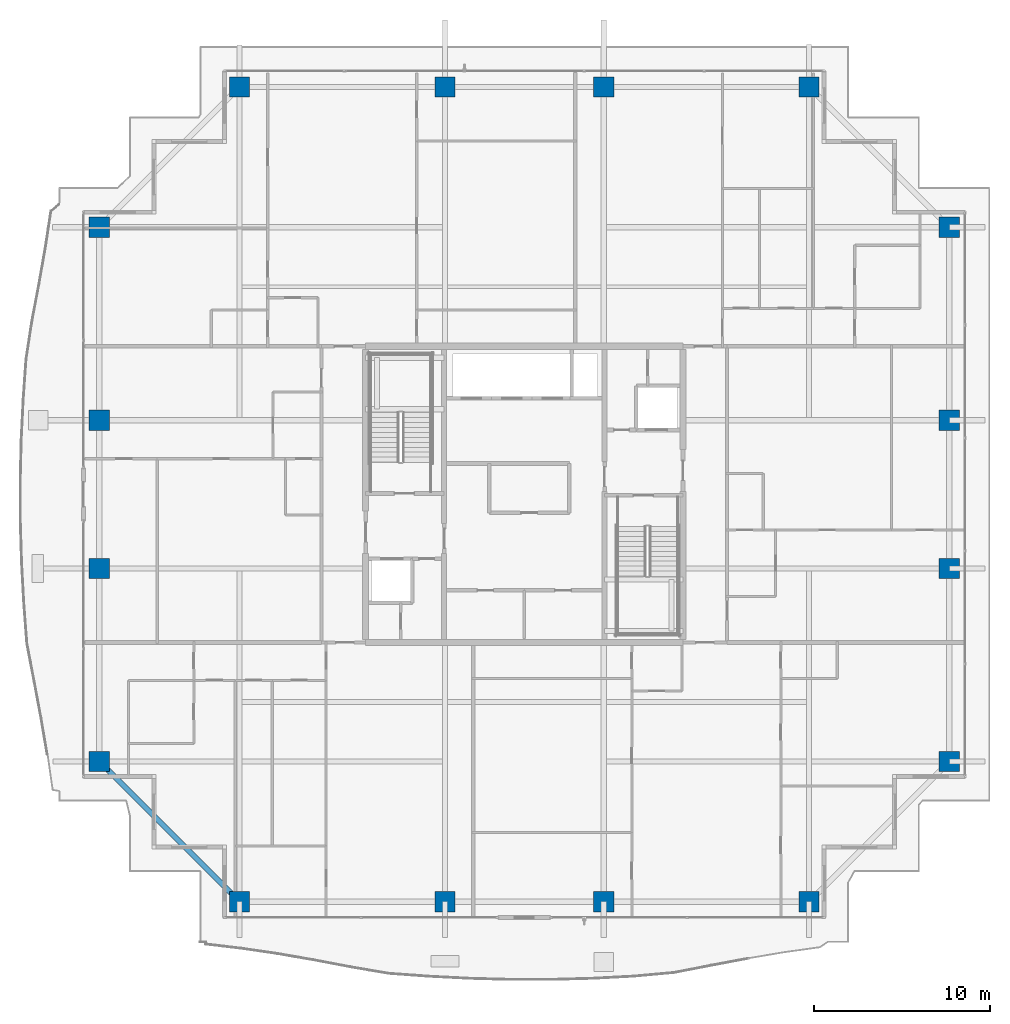
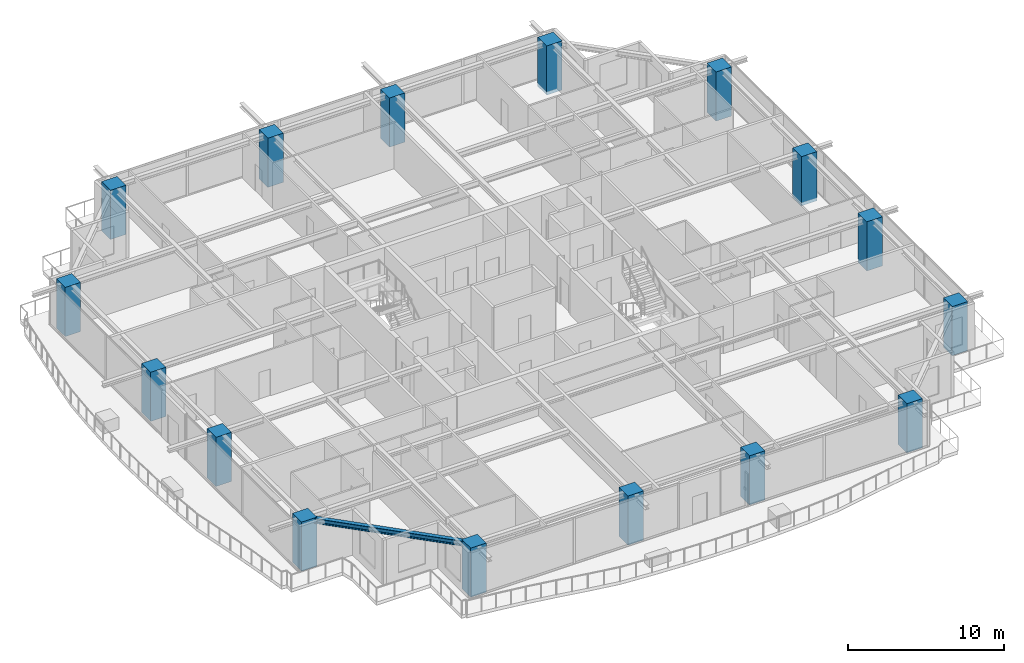
# One storey, part 1 of 37: 16 columns, 1 beam.
"""IFC4 building model written with IfcOpenShell, lengths in metres."""

from ifc_helpers import new_model, si_unit, direction, frame, origin, origin_2d, place, context, subcontext, project, spatial, rectangle, i_section, extrude, source, transform, mapped, material, material_profile, profile_set, type_object, element, save


model = new_model("IFC4")

# Units and contexts
model_context = context("Model", 3, precision=1e-05, world=origin(), true_north=direction((0.0, 1.0)))
body_context = subcontext(model_context, "Body", "Model", "MODEL_VIEW")
ifc_project = project(units=[si_unit("LENGTHUNIT", "METRE"), si_unit("AREAUNIT", "SQUARE_METRE"), si_unit("VOLUMEUNIT", "CUBIC_METRE"), si_unit("PLANEANGLEUNIT", "RADIAN"), si_unit("MASSUNIT", "GRAM", prefix="KILO")], contexts=[model_context])

# Site, building, storey
site_placement = place(None, origin())
site = spatial("IfcSite", under=ifc_project, at=site_placement, CompositionType="ELEMENT")
building_placement = place(site_placement, origin())
building = spatial("IfcBuilding", under=site, at=building_placement, Name="Serunith Strait Residences", CompositionType="ELEMENT")
storey_placement = place(building_placement, frame((0.0, 0.0, 218.14990234375)))
storey = spatial("IfcBuildingStorey", under=building, at=storey_placement, Name="L54", CompositionType="ELEMENT", Elevation=218.14990234375)

# Columns
ifc_material_1 = material(Name="Concrete C80/95", Category="concrete")
ifc_material_profile_1 = material_profile(ifc_material_1, rectangle(XDim=1.14990234375, YDim=1.14990234375, at=origin_2d()), Name="RC 1150x1150")
ifc_profile_set_1 = profile_set([ifc_material_profile_1], Name="Concrete C80/95")
column_type = type_object("IfcColumnType", Name="COL-RC-1150", PredefinedType="COLUMN", material=ifc_profile_set_1)
shared_shape_1 = source(origin(), body_context, "Body", "SweptSolid", [
    extrude(rectangle(XDim=1.14990234375, YDim=1.14990234375, at=origin_2d()), origin(), (0.0, 0.0, 1.0), 3.85009765625),
])
for number, where, z_axis, x_axis, name in (
    (1, (16.25, 2.10009765625, -0.260009765625), (0.0, 0.0, 1.0), (1.0, 0.0, 0.0), "L54 Tower Mega-Column TC-S1"),
    (2, (27.89990234375, 2.10009765625, -0.260009765625), (0.0, 0.0, 1.0), (1.0, 0.0, 0.0), "L54 Tower Mega-Column TC-S2"),
    (3, (36.89990234375, 2.10009765625, -0.260009765625), (0.0, 0.0, 1.0), (1.0, 0.0, 0.0), "L54 Tower Mega-Column TC-S3"),
    (4, (48.550048828125, 2.10009765625, -0.260009765625), (0.0, 0.0, 1.0), (1.0, 0.0, 0.0), "L54 Tower Mega-Column TC-S4"),
    (5, (16.25, 48.300048828125, -0.260009765625), (0.0, 0.0, 1.0), (1.0, 0.0, 0.0), "L54 Tower Mega-Column TC-N1"),
    (6, (27.89990234375, 48.300048828125, -0.260009765625), (0.0, 0.0, 1.0), (1.0, 0.0, 0.0), "L54 Tower Mega-Column TC-N2"),
    (7, (36.89990234375, 48.300048828125, -0.260009765625), (0.0, 0.0, 1.0), (1.0, 0.0, 0.0), "L54 Tower Mega-Column TC-N3"),
    (8, (48.550048828125, 48.300048828125, -0.260009765625), (0.0, 0.0, 1.0), (1.0, 0.0, 0.0), "L54 Tower Mega-Column TC-N4"),
    (9, (56.5, 10.050048828125, -0.260009765625), (0.0, 0.0, 1.0), (1.0, 0.0, 0.0), "L54 Tower Mega-Column TC-E1"),
    (10, (56.5, 21.0, -0.260009765625), (0.0, 0.0, 1.0), (1.0, 0.0, 0.0), "L54 Tower Mega-Column TC-E2"),
    (11, (56.5, 29.39990234375, -0.260009765625), (0.0, 0.0, 1.0), (1.0, 0.0, 0.0), "L54 Tower Mega-Column TC-E3"),
    (12, (56.5, 40.35009765625, -0.260009765625), (0.0, 0.0, 1.0), (1.0, 0.0, 0.0), "L54 Tower Mega-Column TC-E4"),
    (13, (8.300048828125, 10.050048828125, -0.260009765625), (0.0, 0.0, 1.0), (1.0, 0.0, 0.0), "L54 Tower Mega-Column TC-W1"),
    (14, (8.300048828125, 21.0, -0.260009765625), (0.0, 0.0, 1.0), (1.0, 0.0, 0.0), "L54 Tower Mega-Column TC-W2"),
    (15, (8.300048828125, 29.39990234375, -0.260009765625), (0.0, 0.0, 1.0), (1.0, 0.0, 0.0), "L54 Tower Mega-Column TC-W3"),
    (16, (8.300048828125, 40.35009765625, -0.260009765625), (0.0, 0.0, 1.0), (1.0, 0.0, 0.0), "L54 Tower Mega-Column TC-W4"),
):
    element("IfcColumn", number, at=place(storey_placement, frame(where, z_axis=z_axis, x_axis=x_axis)), inside=storey, type_object=column_type, Name=name, PredefinedType="COLUMN", context=body_context, shape_type="MappedRepresentation", body=[
        mapped(shared_shape_1, transform((0.0, 0.0, 0.0), scale=1.0)),
    ])

# Beam
ifc_material_2 = material(Name="Steel S355J2", Category="steel")
ifc_material_profile_2 = material_profile(ifc_material_2, i_section(OverallWidth=0.300048828125, OverallDepth=0.39990234375, WebThickness=0.013427734375, FlangeThickness=0.02392578125, FilletRadius=0.027099609375, at=origin_2d()), Name="HEB 400")
ifc_profile_set_2 = profile_set([ifc_material_profile_2], Name="Steel S355J2")
beam_type = type_object("IfcBeamType", Name="BM-HEB400", PredefinedType="BEAM", material=ifc_profile_set_2)
shared_shape_2 = source(origin(), body_context, "Body", "SweptSolid", [
    extrude(i_section(OverallWidth=0.300048828125, OverallDepth=0.39990234375, WebThickness=0.013427734375, FlangeThickness=0.02392578125, FilletRadius=0.027099609375, at=origin_2d()), origin(), (0.0, 0.0, 1.0), 11.242919921875),
])
beam_placement = place(storey_placement, frame((8.300048828125, 10.050048828125, 3.357177734375), z_axis=(0.707106781187, -0.707106781187, 0.0), x_axis=(0.707106781187, 0.707106781187, 0.0)))
element("IfcBeam", 17, at=beam_placement, inside=storey, type_object=beam_type, Name="L54 Perimeter Ring Beam 16", PredefinedType="BEAM", context=body_context, shape_type="MappedRepresentation", body=[
    mapped(shared_shape_2, transform((0.0, 0.0, 0.0), scale=1.0)),
])

save(model, "model.ifc")
